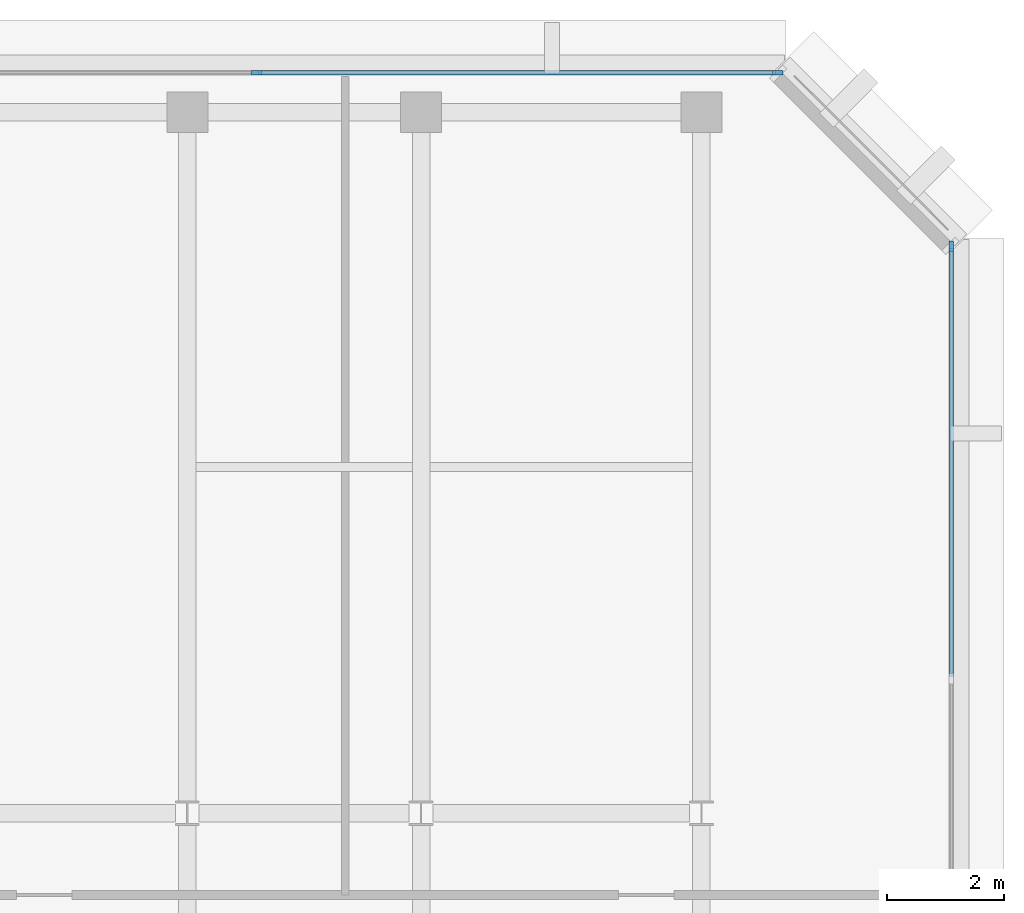
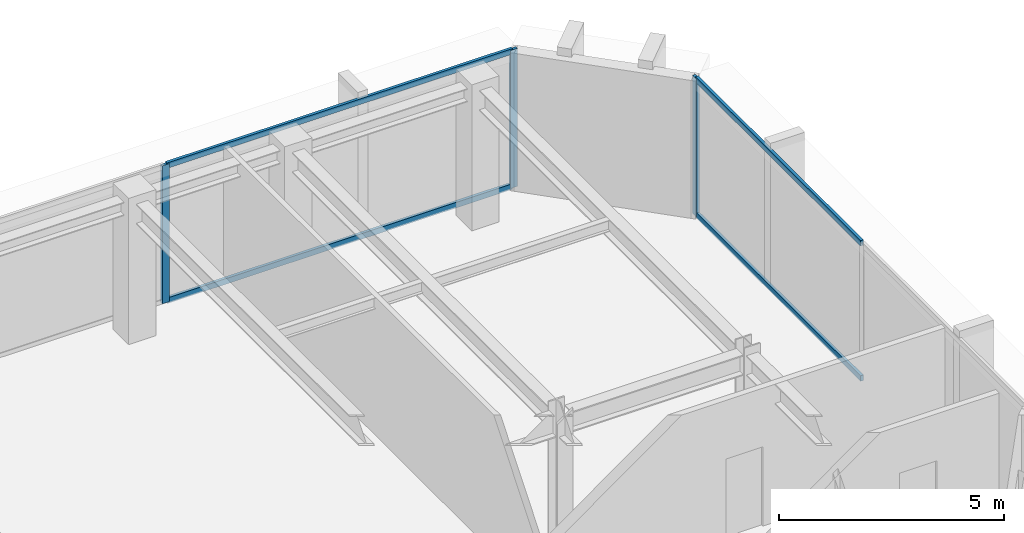
# One storey, part 5 of 11: 7 members, 2 elements without a shape of their own.
"""IFC4 building model written with IfcOpenShell, lengths in metres."""

from ifc_helpers import new_model, si_unit, direction, frame, origin, origin_2d, place, context, subcontext, project, spatial, rectangle, extrude, material, layer, layer_set, material_profile, profile_set, type_object, element, aggregate, save


model = new_model("IFC4")

# Units and contexts
model_context = context("Model", 3, precision=1e-05, world=origin(), true_north=direction((0.0, 1.0)))
body_context = subcontext(model_context, "Body", "Model", "MODEL_VIEW")
ifc_project = project(units=[si_unit("LENGTHUNIT", "METRE"), si_unit("AREAUNIT", "SQUARE_METRE"), si_unit("VOLUMEUNIT", "CUBIC_METRE"), si_unit("PLANEANGLEUNIT", "RADIAN"), si_unit("MASSUNIT", "GRAM", prefix="KILO")], contexts=[model_context])

# Site, building, storey
site_placement = place(None, origin())
site = spatial("IfcSite", under=ifc_project, at=site_placement, CompositionType="ELEMENT")
building_placement = place(site_placement, origin())
building = spatial("IfcBuilding", under=site, at=building_placement, Name="Kefirva Bronze Tower", CompositionType="ELEMENT")
storey_placement = place(building_placement, frame((0.0, 0.0, 288.090087890625)))
storey = spatial("IfcBuildingStorey", under=building, at=storey_placement, Name="L70", CompositionType="ELEMENT", Elevation=288.090087890625)

# Curtain wall, member
ifc_material = material(Name="Bronze anodised aluminium", Category="aluminium")
ifc_layer = layer(ifc_material, 0.179931640625, Name="Bronze anodised aluminium")
ifc_layer_set = layer_set([ifc_layer], Name="Bronze anodised aluminium")
curtain_wall_type = type_object("IfcCurtainWallType", Name="Unitised Bronze Ribbon Curtain Wall Zone 4", PredefinedType="USERDEFINED", material=ifc_layer_set)
curtain_wall_1_placement = place(storey_placement, origin())
curtain_wall_1 = element("IfcCurtainWall", 1, at=curtain_wall_1_placement, inside=storey, type_object=curtain_wall_type, Name="L70 Curtain Wall 3", ObjectType="UNITISED CURTAIN WALL", PredefinedType="USERDEFINED")
ifc_material_profile_1 = material_profile(ifc_material, rectangle(XDim=0.074951171875, YDim=0.179931640625, at=origin_2d()), Name="ALU 75x180")
ifc_profile_set_1 = profile_set([ifc_material_profile_1], Name="Bronze anodised aluminium")
member_type_1 = type_object("IfcMemberType", Name="Bronze Mullion 75x180", PredefinedType="MULLION", material=ifc_profile_set_1)
member_1_placement = place(storey_placement, frame((44.280029296875, 42.907470703125, 0.0), z_axis=(0.0, 0.0, 1.0), x_axis=(-1.0, 0.0, 0.0)))
member_1 = element("IfcMember", 2, at=member_1_placement, type_object=member_type_1, Name="CW-04 mullion 3", PredefinedType="MULLION", context=body_context, shape_type="SweptSolid", body=[
    extrude(rectangle(XDim=0.074951171875, YDim=0.179931640625, at=origin_2d()), origin(), (0.0, 0.0, 1.0), 3.739990234375),
])

# Curtain wall, members
curtain_wall_2_placement = place(storey_placement, origin())
curtain_wall_2 = element("IfcCurtainWall", 3, at=curtain_wall_2_placement, inside=storey, type_object=curtain_wall_type, Name="L70 Curtain Wall 4", ObjectType="UNITISED CURTAIN WALL", PredefinedType="USERDEFINED")
member_2_placement = place(storey_placement, frame((41.3076171875, 45.8798828125, 0.0), z_axis=(0.0, 0.0, 1.0), x_axis=(0.0, -1.0, 0.0)))
member_2 = element("IfcMember", 4, at=member_2_placement, type_object=member_type_1, Name="CW-04 mullion 1", PredefinedType="MULLION", context=body_context, shape_type="SweptSolid", body=[
    extrude(rectangle(XDim=0.074951171875, YDim=0.179931640625, at=origin_2d()), origin(), (0.0, 0.0, 1.0), 3.739990234375),
])
member_3_placement = place(storey_placement, frame((32.375, 45.8798828125, 0.0), z_axis=(0.0, 0.0, 1.0), x_axis=(0.0, -1.0, 0.0)))
member_3 = element("IfcMember", 5, at=member_3_placement, type_object=member_type_1, Name="CW-04 mullion 2", PredefinedType="MULLION", context=body_context, shape_type="SweptSolid", body=[
    extrude(rectangle(XDim=0.074951171875, YDim=0.179931640625, at=origin_2d()), origin(), (0.0, 0.0, 1.0), 3.739990234375),
])

# Member
ifc_material_profile_2 = material_profile(ifc_material, rectangle(XDim=0.074951171875, YDim=0.14990234375, at=origin_2d()), Name="ALU 75x150")
ifc_profile_set_2 = profile_set([ifc_material_profile_2], Name="Bronze anodised aluminium")
member_type_2 = type_object("IfcMemberType", Name="Bronze Transom 75x150", PredefinedType="USERDEFINED", material=ifc_profile_set_2)
member_4_placement = place(storey_placement, frame((44.280029296875, 35.53759765625, 0.037353515625), z_axis=(0.0, 1.0, 0.0), x_axis=(-1.0, 0.0, 0.0)))
member_4 = element("IfcMember", 6, at=member_4_placement, type_object=member_type_2, Name="CW-04 transom 2.1", ObjectType="TRANSOM", PredefinedType="USERDEFINED", context=body_context, shape_type="SweptSolid", body=[
    extrude(rectangle(XDim=0.074951171875, YDim=0.14990234375, at=origin_2d()), origin(), (0.0, 0.0, 1.0), 7.33251953125),
])

member_5_placement = place(storey_placement, frame((44.280029296875, 35.53759765625, 3.702392578125), z_axis=(0.0, 1.0, 0.0), x_axis=(-1.0, 0.0, 0.0)))
member_5 = element("IfcMember", 7, at=member_5_placement, type_object=member_type_2, Name="CW-04 transom 2.2", ObjectType="TRANSOM", PredefinedType="USERDEFINED", context=body_context, shape_type="SweptSolid", body=[
    extrude(rectangle(XDim=0.074951171875, YDim=0.14990234375, at=origin_2d()), origin(), (0.0, 0.0, 1.0), 7.33251953125),
])

aggregate(curtain_wall_1, [member_1, member_4, member_5])

member_6_placement = place(storey_placement, frame((41.27001953125, 45.8798828125, 0.037353515625), z_axis=(-1.0, 0.0, 0.0), x_axis=(0.0, -1.0, 0.0)))
member_6 = element("IfcMember", 8, at=member_6_placement, type_object=member_type_2, Name="CW-04 transom 1.1", ObjectType="TRANSOM", PredefinedType="USERDEFINED", context=body_context, shape_type="SweptSolid", body=[
    extrude(rectangle(XDim=0.074951171875, YDim=0.14990234375, at=origin_2d()), origin(), (0.0, 0.0, 1.0), 8.857421875),
])

member_7_placement = place(storey_placement, frame((41.27001953125, 45.8798828125, 3.702392578125), z_axis=(-1.0, 0.0, 0.0), x_axis=(0.0, -1.0, 0.0)))
member_7 = element("IfcMember", 9, at=member_7_placement, type_object=member_type_2, Name="CW-04 transom 1.2", ObjectType="TRANSOM", PredefinedType="USERDEFINED", context=body_context, shape_type="SweptSolid", body=[
    extrude(rectangle(XDim=0.074951171875, YDim=0.14990234375, at=origin_2d()), origin(), (0.0, 0.0, 1.0), 8.857421875),
])

aggregate(curtain_wall_2, [member_2, member_3, member_6, member_7])

save(model, "model.ifc")
